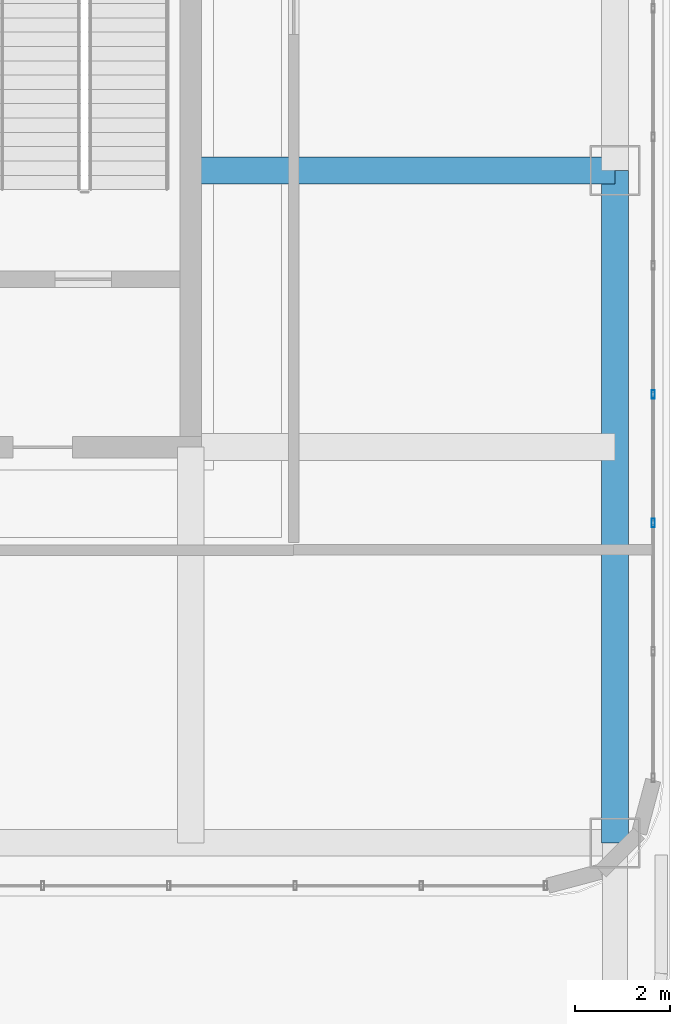
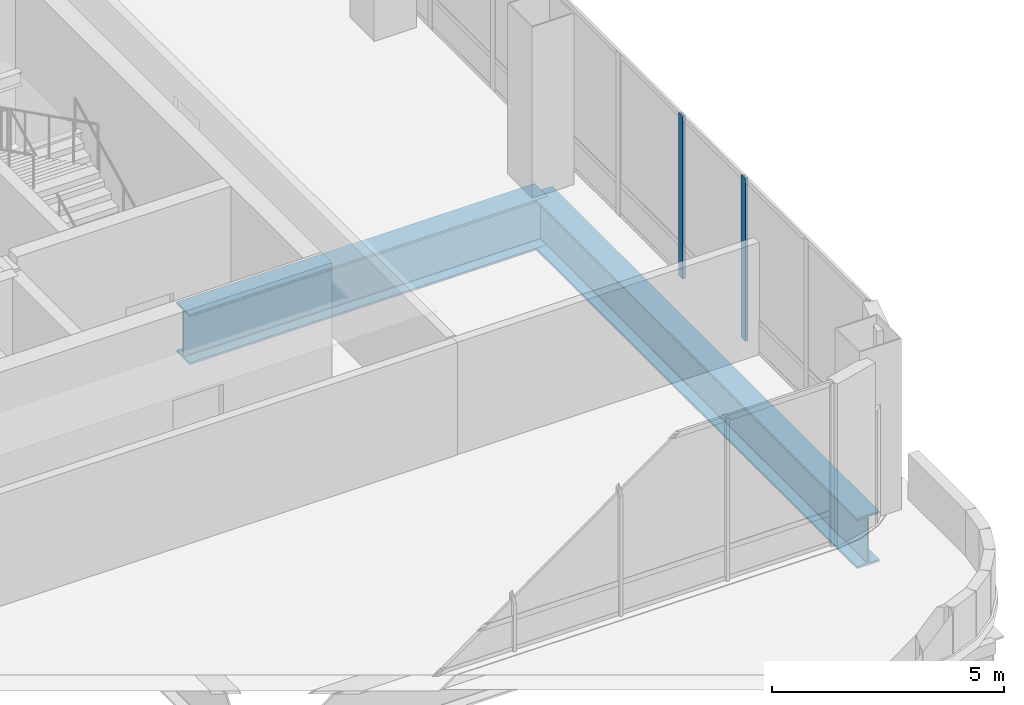
# One storey, part 14 of 33: 2 beams, 2 members, 1 element without a shape of its own.
"""IFC4 building model written with IfcOpenShell, lengths in metres."""

from ifc_helpers import new_model, si_unit, direction, frame, origin, origin_2d, place, context, subcontext, project, spatial, hollow_rectangle, i_section, extrude, material, material_profile, profile_set, type_object, element, aggregate, save


model = new_model("IFC4")

# Units and contexts
model_context = context("Model", 3, precision=1e-05, world=origin(), true_north=direction((0.0, 1.0)))
body_context = subcontext(model_context, "Body", "Model", "MODEL_VIEW")
ifc_project = project(units=[si_unit("LENGTHUNIT", "METRE"), si_unit("AREAUNIT", "SQUARE_METRE"), si_unit("VOLUMEUNIT", "CUBIC_METRE"), si_unit("PLANEANGLEUNIT", "RADIAN"), si_unit("MASSUNIT", "GRAM", prefix="KILO")], contexts=[model_context])

# Site, building, storey
site_placement = place(None, origin())
site = spatial("IfcSite", under=ifc_project, at=site_placement, CompositionType="ELEMENT")
building_placement = place(site_placement, origin())
building = spatial("IfcBuilding", under=site, at=building_placement, Name="Punatoya Terracotta Tower", CompositionType="ELEMENT")
storey_placement = place(building_placement, frame((0.0, 0.0, 343.800048828125)))
storey = spatial("IfcBuildingStorey", under=building, at=storey_placement, Name="L81", CompositionType="ELEMENT", Elevation=343.800048828125)

# Beams
ifc_material_1 = material(Name="Steel S460", Category="steel")
ifc_material_profile_1 = material_profile(ifc_material_1, i_section(OverallWidth=0.56005859375, OverallDepth=1.320068359375, WebThickness=0.035888671875, FlangeThickness=0.054931640625, FilletRadius=0.01806640625, at=origin_2d()))
ifc_profile_set_1 = profile_set([ifc_material_profile_1], Name="Steel S460")
beam_type = type_object("IfcBeamType", Name="BM-TG-BLK", PredefinedType="BEAM", material=ifc_profile_set_1)
beam_1_placement = place(storey_placement, frame((19.10009765625, -17.5, -0.93994140625), z_axis=(0.0, 1.0, 0.0), x_axis=(-1.0, 0.0, 0.0)))
element("IfcBeam", 1, at=beam_1_placement, inside=storey, type_object=beam_type, Name="BM-L81-RG-E1", PredefinedType="BEAM", context=body_context, shape_type="SweptSolid", body=[
    extrude(i_section(OverallWidth=0.56005859375, OverallDepth=1.320068359375, WebThickness=0.035888671875, FlangeThickness=0.054931640625, FilletRadius=0.01806640625, at=origin_2d()), origin(), (0.0, 0.0, 1.0), 14.10009765625),
])
beam_2_placement = place(storey_placement, frame((10.199951171875, -3.39990234375, -0.93994140625), z_axis=(1.0, 0.0, 0.0), x_axis=(0.0, 1.0, 0.0)))
element("IfcBeam", 2, at=beam_2_placement, inside=storey, type_object=beam_type, Name="BM-L81-PR-ED", PredefinedType="BEAM", context=body_context, shape_type="SweptSolid", body=[
    extrude(i_section(OverallWidth=0.56005859375, OverallDepth=1.320068359375, WebThickness=0.035888671875, FlangeThickness=0.054931640625, FilletRadius=0.01806640625, at=origin_2d()), origin(), (0.0, 0.0, 1.0), 8.900146484375),
])

# Curtain wall, members
ifc_material_2 = material(Name="Aluminium 6063-T6 + Double Low-E Glass", Category="aluminium")
curtain_wall_type = type_object("IfcCurtainWallType", Name="CW-CRN", PredefinedType="NOTDEFINED", material=ifc_material_2)
curtain_wall_placement = place(storey_placement, origin())
curtain_wall = element("IfcCurtainWall", 3, at=curtain_wall_placement, inside=storey, type_object=curtain_wall_type, Name="L81 Curtain Wall CW-L81-E05-1", PredefinedType="NOTDEFINED")
ifc_material_3 = material(Name="Aluminium 6063-T6", Category="aluminium")
ifc_material_profile_2 = material_profile(ifc_material_3, hollow_rectangle(XDim=0.070068359375, YDim=0.179931640625, WallThickness=0.00390625, at=origin_2d()))
ifc_profile_set_2 = profile_set([ifc_material_profile_2], Name="Aluminium 6063-T6")
member_type = type_object("IfcMemberType", Name="CW-MUL-M3", PredefinedType="MULLION", material=ifc_profile_set_2)
member_1_placement = place(storey_placement, frame((19.89990234375, -10.791259765625, 0.0), z_axis=(0.0, 0.0, 1.0), x_axis=(1.0, 0.0, 0.0)))
member_1 = element("IfcMember", 4, at=member_1_placement, type_object=member_type, Name="CW-L81-E05-1 Mullion 02", PredefinedType="MULLION", context=body_context, shape_type="SweptSolid", body=[
    extrude(hollow_rectangle(XDim=0.070068359375, YDim=0.179931640625, WallThickness=0.00390625, at=origin_2d()), origin(), (0.0, 0.0, 1.0), 4.280029296875),
])
member_2_placement = place(storey_placement, frame((19.89990234375, -8.093505859375, 0.0), z_axis=(0.0, 0.0, 1.0), x_axis=(1.0, 0.0, 0.0)))
member_2 = element("IfcMember", 5, at=member_2_placement, type_object=member_type, Name="CW-L81-E05-1 Mullion 03", PredefinedType="MULLION", context=body_context, shape_type="SweptSolid", body=[
    extrude(hollow_rectangle(XDim=0.070068359375, YDim=0.179931640625, WallThickness=0.00390625, at=origin_2d()), origin(), (0.0, 0.0, 1.0), 4.280029296875),
])
aggregate(curtain_wall, [member_1, member_2])

save(model, "model.ifc")
